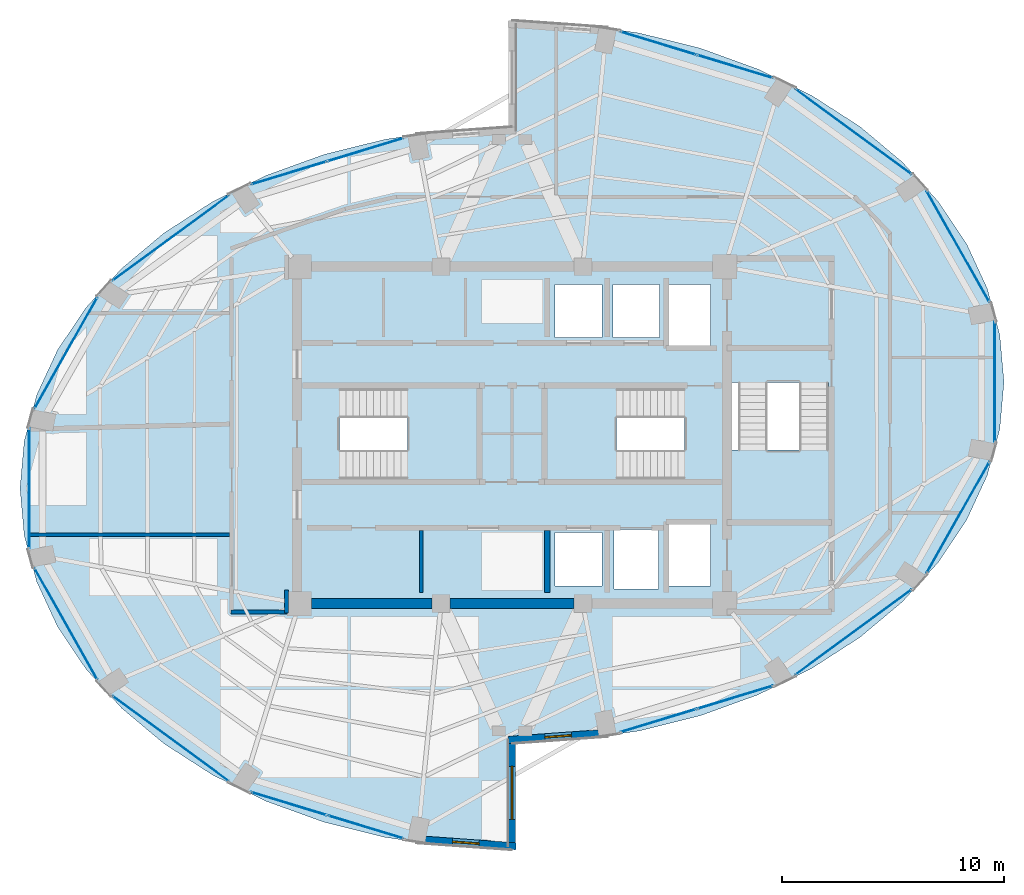
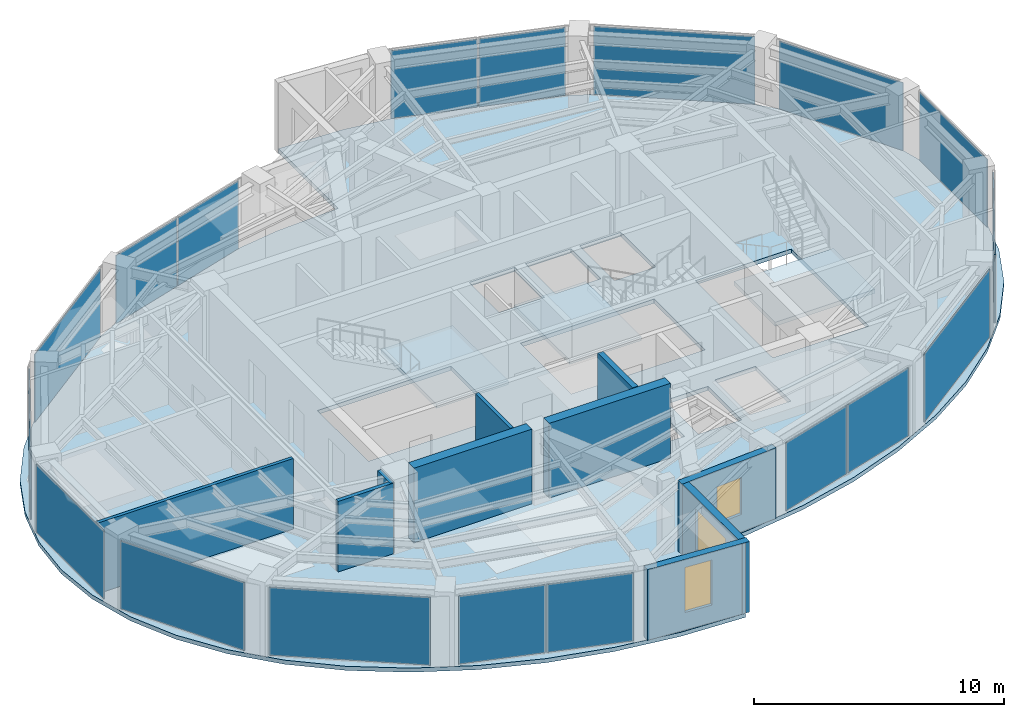
# One storey, part 18 of 23: 18 plates, 10 walls, 4 slabs, 3 windows, 3 openings, 17 elements without a shape of their own.
"""IFC4 building model written with IfcOpenShell, lengths in metres."""

from ifc_helpers import new_model, si_unit, direction, frame, frame_2d, origin, origin_2d, place, context, subcontext, project, spatial, polyline, rectangle, outline, extrude, material, layer, layer_set, type_object, element, fill, aggregate, save


model = new_model("IFC4")

# Units and contexts
model_context = context("Model", 3, precision=1e-05, world=origin(), true_north=direction((0.0, 1.0)))
body_context = subcontext(model_context, "Body", "Model", "MODEL_VIEW")
ifc_project = project(units=[si_unit("LENGTHUNIT", "METRE"), si_unit("AREAUNIT", "SQUARE_METRE"), si_unit("VOLUMEUNIT", "CUBIC_METRE"), si_unit("PLANEANGLEUNIT", "RADIAN"), si_unit("MASSUNIT", "GRAM", prefix="KILO")], contexts=[model_context])

# Site, building, storey
site_placement = place(None, origin())
site = spatial("IfcSite", under=ifc_project, at=site_placement, CompositionType="ELEMENT")
building_placement = place(site_placement, origin())
building = spatial("IfcBuilding", under=site, at=building_placement, Name="Lazwardi Medical Tower", CompositionType="ELEMENT")
storey_placement = place(building_placement, frame((0.0, 0.0, 231.31201171875)))
storey = spatial("IfcBuildingStorey", under=building, at=storey_placement, Name="L60", CompositionType="ELEMENT", Elevation=231.31201171875)

# Curtain wall, plates
ifc_material_1 = material(Name="Anodised bronze aluminium and solar control glazing", Category="aluminium")
ifc_layer_1 = layer(ifc_material_1, 0.18994140625)
ifc_layer_set_1 = layer_set([ifc_layer_1], Name="Anodised bronze aluminium and solar control glazing")
curtain_wall_type = type_object("IfcCurtainWallType", Name="CW-SYS-04", PredefinedType="NOTDEFINED", material=ifc_layer_set_1)
curtain_wall_1_placement = place(storey_placement, origin())
curtain_wall_1 = element("IfcCurtainWall", 1, at=curtain_wall_1_placement, inside=storey, type_object=curtain_wall_type, Name="L60 Unitised bronze curtain wall CW-04", PredefinedType="NOTDEFINED")
ifc_material_2 = material(Name="Low-e bronze solar control double glazing", Category="glass")
ifc_layer_2 = layer(ifc_material_2, 0.035888671875)
ifc_layer_set_2 = layer_set([ifc_layer_2], Name="Low-e bronze solar control double glazing")
plate_type = type_object("IfcPlateType", Name="PLT-GLZ-01", PredefinedType="CURTAIN_PANEL", material=ifc_layer_set_2)
plate_1_placement = place(storey_placement, frame((42.604736328125, 15.118896484375, 0.06494140625), z_axis=(0.0, 0.0, 1.0), x_axis=(0.956850126972, 0.290581889515, 0.0)))
plate_1 = element("IfcPlate", 2, at=plate_1_placement, type_object=plate_type, Name="CW-04 panel 1.1", PredefinedType="CURTAIN_PANEL", context=body_context, shape_type="SweptSolid", body=[
    extrude(rectangle(XDim=3.554443359375, YDim=0.035888671875, at=origin_2d()), origin(), (0.0, 0.0, 1.0), 3.318115234375),
])
plate_2_placement = place(storey_placement, frame((46.068115234375, 16.170654296875, 0.06494140625), z_axis=(0.0, 0.0, 1.0), x_axis=(0.956850126972, 0.290581889515, 0.0)))
plate_2 = element("IfcPlate", 3, at=plate_2_placement, type_object=plate_type, Name="CW-04 panel 2.1", PredefinedType="CURTAIN_PANEL", context=body_context, shape_type="SweptSolid", body=[
    extrude(rectangle(XDim=3.554443359375, YDim=0.035888671875, at=origin_2d()), origin(), (0.0, 0.0, 1.0), 3.318115234375),
])
aggregate(curtain_wall_1, [plate_1, plate_2])

# Curtain wall, plate
curtain_wall_2_placement = place(storey_placement, origin())
curtain_wall_2 = element("IfcCurtainWall", 4, at=curtain_wall_2_placement, inside=storey, type_object=curtain_wall_type, Name="L60 Unitised bronze curtain wall CW-04", PredefinedType="NOTDEFINED")
plate_3_placement = place(storey_placement, frame((51.403564453125, 19.106689453125, 0.06494140625), z_axis=(0.0, 0.0, 1.0), x_axis=(0.806474971121, 0.591268230971, 0.0)))
plate_3 = element("IfcPlate", 5, at=plate_3_placement, type_object=plate_type, Name="CW-04 panel 1.1", PredefinedType="CURTAIN_PANEL", context=body_context, shape_type="SweptSolid", body=[
    extrude(rectangle(XDim=6.502685546875, YDim=0.035888671875, at=origin_2d()), origin(), (0.0, 0.0, 1.0), 3.318115234375),
])
aggregate(curtain_wall_2, [plate_3])

curtain_wall_3_placement = place(storey_placement, origin())
curtain_wall_3 = element("IfcCurtainWall", 6, at=curtain_wall_3_placement, inside=storey, type_object=curtain_wall_type, Name="L60 Unitised bronze curtain wall CW-04", PredefinedType="NOTDEFINED")
plate_4_placement = place(storey_placement, frame((56.125732421875, 24.2880859375, 0.06494140625), z_axis=(0.0, 0.0, 1.0), x_axis=(0.491900474661, 0.870651436011, 0.0)))
plate_4 = element("IfcPlate", 7, at=plate_4_placement, type_object=plate_type, Name="CW-04 panel 1.1", PredefinedType="CURTAIN_PANEL", context=body_context, shape_type="SweptSolid", body=[
    extrude(rectangle(XDim=5.755126953125, YDim=0.035888671875, at=origin_2d()), origin(), (0.0, 0.0, 1.0), 3.318115234375),
])
aggregate(curtain_wall_3, [plate_4])

curtain_wall_4_placement = place(storey_placement, origin())
curtain_wall_4 = element("IfcCurtainWall", 8, at=curtain_wall_4_placement, inside=storey, type_object=curtain_wall_type, Name="L60 Unitised bronze curtain wall CW-04", PredefinedType="NOTDEFINED")
plate_5_placement = place(storey_placement, frame((57.7841796875, 30.39990234375, 0.06494140625), z_axis=(0.0, 0.0, 1.0), x_axis=(0.0, 1.0, 0.0)))
plate_5 = element("IfcPlate", 9, at=plate_5_placement, type_object=plate_type, Name="CW-04 panel 1.1", PredefinedType="CURTAIN_PANEL", context=body_context, shape_type="SweptSolid", body=[
    extrude(rectangle(XDim=5.416015625, YDim=0.035888671875, at=origin_2d()), origin(), (0.0, 0.0, 1.0), 3.318115234375),
])
aggregate(curtain_wall_4, [plate_5])

curtain_wall_5_placement = place(storey_placement, origin())
curtain_wall_5 = element("IfcCurtainWall", 10, at=curtain_wall_5_placement, inside=storey, type_object=curtain_wall_type, Name="L60 Unitised bronze curtain wall CW-04", PredefinedType="NOTDEFINED")
plate_6_placement = place(storey_placement, frame((56.125732421875, 36.511962890625, 0.06494140625), z_axis=(0.0, 0.0, 1.0), x_axis=(-0.491900474661, 0.870651436011, 0.0)))
plate_6 = element("IfcPlate", 11, at=plate_6_placement, type_object=plate_type, Name="CW-04 panel 1.1", PredefinedType="CURTAIN_PANEL", context=body_context, shape_type="SweptSolid", body=[
    extrude(rectangle(XDim=5.755126953125, YDim=0.035888671875, at=origin_2d()), origin(), (0.0, 0.0, 1.0), 3.318115234375),
])
aggregate(curtain_wall_5, [plate_6])

curtain_wall_6_placement = place(storey_placement, origin())
curtain_wall_6 = element("IfcCurtainWall", 12, at=curtain_wall_6_placement, inside=storey, type_object=curtain_wall_type, Name="L60 Unitised bronze curtain wall CW-04", PredefinedType="NOTDEFINED")
plate_7_placement = place(storey_placement, frame((51.403564453125, 41.693359375, 0.06494140625), z_axis=(0.0, 0.0, 1.0), x_axis=(-0.806474971121, 0.591268230971, 0.0)))
plate_7 = element("IfcPlate", 13, at=plate_7_placement, type_object=plate_type, Name="CW-04 panel 1.1", PredefinedType="CURTAIN_PANEL", context=body_context, shape_type="SweptSolid", body=[
    extrude(rectangle(XDim=6.502685546875, YDim=0.035888671875, at=origin_2d()), origin(), (0.0, 0.0, 1.0), 3.318115234375),
])
aggregate(curtain_wall_6, [plate_7])

# Curtain wall, plates
curtain_wall_7_placement = place(storey_placement, origin())
curtain_wall_7 = element("IfcCurtainWall", 14, at=curtain_wall_7_placement, inside=storey, type_object=curtain_wall_type, Name="L60 Unitised bronze curtain wall CW-04", PredefinedType="NOTDEFINED")
plate_8_placement = place(storey_placement, frame((46.068115234375, 44.62939453125, 0.06494140625), z_axis=(0.0, 0.0, 1.0), x_axis=(-0.956850126972, 0.290581889515, 0.0)))
plate_8 = element("IfcPlate", 15, at=plate_8_placement, type_object=plate_type, Name="CW-04 panel 1.1", PredefinedType="CURTAIN_PANEL", context=body_context, shape_type="SweptSolid", body=[
    extrude(rectangle(XDim=3.554443359375, YDim=0.035888671875, at=origin_2d()), origin(), (0.0, 0.0, 1.0), 3.318115234375),
])
plate_9_placement = place(storey_placement, frame((42.604736328125, 45.68115234375, 0.06494140625), z_axis=(0.0, 0.0, 1.0), x_axis=(-0.956850126972, 0.290581889515, 0.0)))
plate_9 = element("IfcPlate", 16, at=plate_9_placement, type_object=plate_type, Name="CW-04 panel 2.1", PredefinedType="CURTAIN_PANEL", context=body_context, shape_type="SweptSolid", body=[
    extrude(rectangle(XDim=3.554443359375, YDim=0.035888671875, at=origin_2d()), origin(), (0.0, 0.0, 1.0), 3.318115234375),
])
aggregate(curtain_wall_7, [plate_8, plate_9])

curtain_wall_8_placement = place(storey_placement, origin())
curtain_wall_8 = element("IfcCurtainWall", 17, at=curtain_wall_8_placement, inside=storey, type_object=curtain_wall_type, Name="L60 Unitised bronze curtain wall CW-04", PredefinedType="NOTDEFINED")
plate_10_placement = place(storey_placement, frame((29.395263671875, 40.881103515625, 0.06494140625), z_axis=(0.0, 0.0, 1.0), x_axis=(-0.956850126972, -0.290581889515, 0.0)))
plate_10 = element("IfcPlate", 18, at=plate_10_placement, type_object=plate_type, Name="CW-04 panel 1.1", PredefinedType="CURTAIN_PANEL", context=body_context, shape_type="SweptSolid", body=[
    extrude(rectangle(XDim=3.554443359375, YDim=0.035888671875, at=origin_2d()), origin(), (0.0, 0.0, 1.0), 3.318115234375),
])
plate_11_placement = place(storey_placement, frame((25.931884765625, 39.829345703125, 0.06494140625), z_axis=(0.0, 0.0, 1.0), x_axis=(-0.956850126972, -0.290581889515, 0.0)))
plate_11 = element("IfcPlate", 19, at=plate_11_placement, type_object=plate_type, Name="CW-04 panel 2.1", PredefinedType="CURTAIN_PANEL", context=body_context, shape_type="SweptSolid", body=[
    extrude(rectangle(XDim=3.554443359375, YDim=0.035888671875, at=origin_2d()), origin(), (0.0, 0.0, 1.0), 3.318115234375),
])
aggregate(curtain_wall_8, [plate_10, plate_11])

# Curtain wall, plate
curtain_wall_9_placement = place(storey_placement, origin())
curtain_wall_9 = element("IfcCurtainWall", 20, at=curtain_wall_9_placement, inside=storey, type_object=curtain_wall_type, Name="L60 Unitised bronze curtain wall CW-04", PredefinedType="NOTDEFINED")
plate_12_placement = place(storey_placement, frame((20.596435546875, 36.893310546875, 0.06494140625), z_axis=(0.0, 0.0, 1.0), x_axis=(-0.806474971121, -0.591268230971, 0.0)))
plate_12 = element("IfcPlate", 21, at=plate_12_placement, type_object=plate_type, Name="CW-04 panel 1.1", PredefinedType="CURTAIN_PANEL", context=body_context, shape_type="SweptSolid", body=[
    extrude(rectangle(XDim=6.502685546875, YDim=0.035888671875, at=origin_2d()), origin(), (0.0, 0.0, 1.0), 3.318115234375),
])
aggregate(curtain_wall_9, [plate_12])

curtain_wall_10_placement = place(storey_placement, origin())
curtain_wall_10 = element("IfcCurtainWall", 22, at=curtain_wall_10_placement, inside=storey, type_object=curtain_wall_type, Name="L60 Unitised bronze curtain wall CW-04", PredefinedType="NOTDEFINED")
plate_13_placement = place(storey_placement, frame((15.874267578125, 31.7119140625, 0.06494140625), z_axis=(0.0, 0.0, 1.0), x_axis=(-0.491900474661, -0.870651436011, 0.0)))
plate_13 = element("IfcPlate", 23, at=plate_13_placement, type_object=plate_type, Name="CW-04 panel 1.1", PredefinedType="CURTAIN_PANEL", context=body_context, shape_type="SweptSolid", body=[
    extrude(rectangle(XDim=5.755126953125, YDim=0.035888671875, at=origin_2d()), origin(), (0.0, 0.0, 1.0), 3.318115234375),
])
aggregate(curtain_wall_10, [plate_13])

curtain_wall_11_placement = place(storey_placement, origin())
curtain_wall_11 = element("IfcCurtainWall", 24, at=curtain_wall_11_placement, inside=storey, type_object=curtain_wall_type, Name="L60 Unitised bronze curtain wall CW-04", PredefinedType="NOTDEFINED")
plate_14_placement = place(storey_placement, frame((14.2158203125, 25.60009765625, 0.06494140625), z_axis=(0.0, 0.0, 1.0), x_axis=(0.0, -1.0, 0.0)))
plate_14 = element("IfcPlate", 25, at=plate_14_placement, type_object=plate_type, Name="CW-04 panel 1.1", PredefinedType="CURTAIN_PANEL", context=body_context, shape_type="SweptSolid", body=[
    extrude(rectangle(XDim=5.416015625, YDim=0.035888671875, at=origin_2d()), origin(), (0.0, 0.0, 1.0), 3.318115234375),
])
aggregate(curtain_wall_11, [plate_14])

curtain_wall_12_placement = place(storey_placement, origin())
curtain_wall_12 = element("IfcCurtainWall", 26, at=curtain_wall_12_placement, inside=storey, type_object=curtain_wall_type, Name="L60 Unitised bronze curtain wall CW-04", PredefinedType="NOTDEFINED")
plate_15_placement = place(storey_placement, frame((15.874267578125, 19.488037109375, 0.06494140625), z_axis=(0.0, 0.0, 1.0), x_axis=(0.491900474661, -0.870651436011, 0.0)))
plate_15 = element("IfcPlate", 27, at=plate_15_placement, type_object=plate_type, Name="CW-04 panel 1.1", PredefinedType="CURTAIN_PANEL", context=body_context, shape_type="SweptSolid", body=[
    extrude(rectangle(XDim=5.755126953125, YDim=0.035888671875, at=origin_2d()), origin(), (0.0, 0.0, 1.0), 3.318115234375),
])
aggregate(curtain_wall_12, [plate_15])

curtain_wall_13_placement = place(storey_placement, origin())
curtain_wall_13 = element("IfcCurtainWall", 28, at=curtain_wall_13_placement, inside=storey, type_object=curtain_wall_type, Name="L60 Unitised bronze curtain wall CW-04", PredefinedType="NOTDEFINED")
plate_16_placement = place(storey_placement, frame((20.596435546875, 14.306640625, 0.06494140625), z_axis=(0.0, 0.0, 1.0), x_axis=(0.806474971121, -0.591268230971, 0.0)))
plate_16 = element("IfcPlate", 29, at=plate_16_placement, type_object=plate_type, Name="CW-04 panel 1.1", PredefinedType="CURTAIN_PANEL", context=body_context, shape_type="SweptSolid", body=[
    extrude(rectangle(XDim=6.502685546875, YDim=0.035888671875, at=origin_2d()), origin(), (0.0, 0.0, 1.0), 3.318115234375),
])
aggregate(curtain_wall_13, [plate_16])

# Curtain wall, plates
curtain_wall_14_placement = place(storey_placement, origin())
curtain_wall_14 = element("IfcCurtainWall", 30, at=curtain_wall_14_placement, inside=storey, type_object=curtain_wall_type, Name="L60 Unitised bronze curtain wall CW-04", PredefinedType="NOTDEFINED")
plate_17_placement = place(storey_placement, frame((25.931884765625, 11.37060546875, 0.06494140625), z_axis=(0.0, 0.0, 1.0), x_axis=(0.956850126972, -0.290581889515, 0.0)))
plate_17 = element("IfcPlate", 31, at=plate_17_placement, type_object=plate_type, Name="CW-04 panel 1.1", PredefinedType="CURTAIN_PANEL", context=body_context, shape_type="SweptSolid", body=[
    extrude(rectangle(XDim=3.554443359375, YDim=0.035888671875, at=origin_2d()), origin(), (0.0, 0.0, 1.0), 3.318115234375),
])
plate_18_placement = place(storey_placement, frame((29.395263671875, 10.31884765625, 0.06494140625), z_axis=(0.0, 0.0, 1.0), x_axis=(0.956850126972, -0.290581889515, 0.0)))
plate_18 = element("IfcPlate", 32, at=plate_18_placement, type_object=plate_type, Name="CW-04 panel 2.1", PredefinedType="CURTAIN_PANEL", context=body_context, shape_type="SweptSolid", body=[
    extrude(rectangle(XDim=3.554443359375, YDim=0.035888671875, at=origin_2d()), origin(), (0.0, 0.0, 1.0), 3.318115234375),
])
aggregate(curtain_wall_14, [plate_17, plate_18])

# Stair, slab
ifc_material_3 = material(Name="Concrete C45/55", Category="concrete")
stair_type = type_object("IfcStairType", Name="STR-WRD", PredefinedType="HALF_TURN_STAIR", material=ifc_material_3)
stair_1_placement = place(storey_placement, origin())
stair_1 = element("IfcStair", 33, at=stair_1_placement, inside=storey, type_object=stair_type, Name="L60 Protected Exit Stair ST1", PredefinedType="HALF_TURN_STAIR")
ifc_layer_3 = layer(ifc_material_3, 0.199951171875)
ifc_layer_set_3 = layer_set([ifc_layer_3], Name="Concrete C45/55")
slab_type_1 = type_object("IfcSlabType", Name="SLB-LND-190", PredefinedType="LANDING", material=ifc_layer_set_3)
slab_1_placement = place(storey_placement, frame((0.0, 0.0, 1.6240234375)))
slab_1 = element("IfcSlab", 34, at=slab_1_placement, type_object=slab_type_1, Name="ST1 landing 1", PredefinedType="LANDING", context=body_context, shape_type="SweptSolid", body=[
    extrude(outline(polyline([(31.27490234375, 25.840087890625), (34.580078125, 25.840087890625), (34.580078125, 30.280029296875), (31.27490234375, 30.280029296875), (31.27490234375, 25.840087890625)])), origin(), (0.0, 0.0, 1.0), 0.199951171875),
])
aggregate(stair_1, [slab_1])

stair_2_placement = place(storey_placement, origin())
stair_2 = element("IfcStair", 35, at=stair_2_placement, inside=storey, type_object=stair_type, Name="L60 Protected Exit Stair ST2", PredefinedType="HALF_TURN_STAIR")
slab_2_placement = place(storey_placement, frame((0.0, 0.0, 1.6240234375)))
slab_2 = element("IfcSlab", 36, at=slab_2_placement, type_object=slab_type_1, Name="ST2 landing 1", PredefinedType="LANDING", context=body_context, shape_type="SweptSolid", body=[
    extrude(outline(polyline([(40.72509765625, 30.280029296875), (37.419921875, 30.280029296875), (37.419921875, 25.840087890625), (40.72509765625, 25.840087890625), (40.72509765625, 30.280029296875)])), origin(), (0.0, 0.0, 1.0), 0.199951171875),
])
aggregate(stair_2, [slab_2])

stair_3_placement = place(storey_placement, origin())
stair_3 = element("IfcStair", 37, at=stair_3_placement, inside=storey, type_object=stair_type, Name="L60 Protected Exit Stair ST3", PredefinedType="HALF_TURN_STAIR")
slab_3_placement = place(storey_placement, frame((0.0, 0.0, 1.6240234375)))
slab_3 = element("IfcSlab", 38, at=slab_3_placement, type_object=slab_type_1, Name="ST3 landing 1", PredefinedType="LANDING", context=body_context, shape_type="SweptSolid", body=[
    extrude(outline(polyline([(45.860107421875, 27.324951171875), (45.860107421875, 24.02001953125), (50.4599609375, 24.02001953125), (50.4599609375, 27.324951171875), (45.860107421875, 27.324951171875)])), origin(), (0.0, 0.0, 1.0), 0.199951171875),
])
aggregate(stair_3, [slab_3])

# Slab
ifc_material_4 = material(Name="Concrete C50/60", Category="concrete")
ifc_layer_4 = layer(ifc_material_4, 0.199951171875)
ifc_layer_set_4 = layer_set([ifc_layer_4], Name="Concrete C50/60")
slab_type_2 = type_object("IfcSlabType", Name="SLB-UPP-200", PredefinedType="FLOOR", material=ifc_layer_set_4)
slab_4_placement = place(storey_placement, frame((0.0, 0.0, -0.199951171875)))
element("IfcSlab", 39, at=slab_4_placement, inside=storey, type_object=slab_type_2, Name="Structural floor slab SF-04 L60", PredefinedType="FLOOR", context=body_context, shape_type="SweptSolid", body=[
    extrude(outline(polyline([(18.3876953125, 15.67724609375), (20.30224609375, 14.07421875), (22.485595703125, 12.668212890625), (24.89990234375, 11.48388671875), (27.50439453125, 10.540771484375), (30.254150390625, 9.85546875), (33.102294921875, 9.439453125), (36.0, 9.300048828125), (36.0, 14.10009765625), (38.897705078125, 14.239501953125), (41.745849609375, 14.655517578125), (44.49560546875, 15.3408203125), (47.10009765625, 16.28369140625), (49.514404296875, 17.46826171875), (51.69775390625, 18.874267578125), (53.6123046875, 20.477294921875), (55.225830078125, 22.25), (56.510009765625, 24.162353515625), (57.443603515625, 26.18115234375), (58.010009765625, 28.2724609375), (58.199951171875, 30.39990234375), (58.010009765625, 32.527587890625), (57.443603515625, 34.618896484375), (56.510009765625, 36.6376953125), (55.225830078125, 38.550048828125), (53.6123046875, 40.32275390625), (51.69775390625, 41.92578125), (49.514404296875, 43.331787109375), (47.10009765625, 44.51611328125), (44.49560546875, 45.459228515625), (41.745849609375, 46.14453125), (38.897705078125, 46.560546875), (36.0, 46.699951171875), (36.0, 41.89990234375), (33.102294921875, 41.760498046875), (30.254150390625, 41.344482421875), (27.50439453125, 40.6591796875), (24.89990234375, 39.71630859375), (22.485595703125, 38.53173828125), (20.30224609375, 37.125732421875), (18.3876953125, 35.522705078125), (16.774169921875, 33.75), (15.489990234375, 31.837646484375), (14.556396484375, 29.81884765625), (13.989990234375, 27.7275390625), (13.800048828125, 25.60009765625), (13.989990234375, 23.472412109375), (14.556396484375, 21.381103515625), (15.489990234375, 19.3623046875), (16.774169921875, 17.449951171875), (18.3876953125, 15.67724609375)]), holes=[polyline([(28.22509765625, 26.02001953125), (28.22509765625, 30.10009765625), (34.39990234375, 30.10009765625), (34.39990234375, 26.02001953125), (28.22509765625, 26.02001953125)]), polyline([(37.60009765625, 30.10009765625), (43.77490234375, 30.10009765625), (43.77490234375, 26.02001953125), (37.60009765625, 26.02001953125), (37.60009765625, 30.10009765625)]), polyline([(50.280029296875, 30.375), (50.280029296875, 24.179931640625), (45.840087890625, 24.179931640625), (45.840087890625, 30.375), (50.280029296875, 30.375)]), polyline([(40.050048828125, 32.39990234375), (37.949951171875, 32.39990234375), (37.949951171875, 34.800048828125), (40.050048828125, 34.800048828125), (40.050048828125, 32.39990234375)]), polyline([(40.550048828125, 32.39990234375), (40.550048828125, 34.800048828125), (42.64990234375, 34.800048828125), (42.64990234375, 32.39990234375), (40.550048828125, 32.39990234375)]), polyline([(37.949951171875, 23.60009765625), (40.050048828125, 23.60009765625), (40.050048828125, 21.199951171875), (37.949951171875, 21.199951171875), (37.949951171875, 23.60009765625)]), polyline([(44.949951171875, 34.800048828125), (44.949951171875, 32.0), (43.050048828125, 32.0), (43.050048828125, 34.800048828125), (44.949951171875, 34.800048828125)]), polyline([(44.949951171875, 21.199951171875), (43.050048828125, 21.199951171875), (43.050048828125, 24.0), (44.949951171875, 24.0), (44.949951171875, 21.199951171875)]), polyline([(40.60009765625, 21.050048828125), (40.60009765625, 23.75), (42.60009765625, 23.75), (42.60009765625, 21.050048828125), (40.60009765625, 21.050048828125)])]), origin(), (0.0, 0.0, 1.0), 0.199951171875),
])

# Walls
ifc_material_5 = material(Name="Fire-rated gypsum board on steel stud", Category="steel")
ifc_layer_5 = layer(ifc_material_5, 0.179931640625)
ifc_layer_set_5 = layer_set([ifc_layer_5], Name="Fire-rated gypsum board on steel stud")
wall_type_1 = type_object("IfcWallType", Name="WL-COR-180", PredefinedType="PARTITIONING", material=ifc_layer_set_5)
wall_1_placement = place(storey_placement, frame((25.830078125, 21.010009765625, 0.0), z_axis=(0.0, 0.0, 1.0), x_axis=(0.0, -1.0, 0.0)))
element("IfcWall", 40, at=wall_1_placement, inside=storey, type_object=wall_type_1, Name="L60 Corridor partition 8", PredefinedType="PARTITIONING", context=body_context, shape_type="SweptSolid", body=[
    extrude(rectangle(XDim=1.030029296875, YDim=0.179931640625, at=frame_2d((0.51513671875, 0.0))), origin(), (0.0, 0.0, 1.0), 3.447998046875),
])
wall_2_placement = place(storey_placement, frame((25.8701171875, 20.02001953125, 0.0), z_axis=(0.0, 0.0, 1.0), x_axis=(-1.0, 0.0, 0.0)))
element("IfcWall", 41, at=wall_2_placement, inside=storey, type_object=wall_type_1, Name="L60 Corridor partition 9", PredefinedType="PARTITIONING", context=body_context, shape_type="SweptSolid", body=[
    extrude(rectangle(XDim=2.56005859375, YDim=0.179931640625, at=frame_2d((1.280029296875, 0.0))), origin(), (0.0, 0.0, 1.0), 3.447998046875),
])
ifc_material_6 = material(Name="Concrete C60/75", Category="concrete")
ifc_layer_6 = layer(ifc_material_6, 0.449951171875)
ifc_layer_set_6 = layer_set([ifc_layer_6], Name="Concrete C60/75")
wall_type_2 = type_object("IfcWallType", Name="WL-CORE-450", PredefinedType="SHEAR", material=ifc_layer_set_6)
wall_3_placement = place(storey_placement, frame((26.949951171875, 20.39990234375, 0.0), z_axis=(0.0, 0.0, 1.0), x_axis=(1.0, 0.0, 0.0)))
element("IfcWall", 42, at=wall_3_placement, inside=storey, type_object=wall_type_2, Name="Core wall CW-S4 S1 L60", PredefinedType="SHEAR", context=body_context, shape_type="SweptSolid", body=[
    extrude(rectangle(XDim=5.449951171875, YDim=0.449951171875, at=frame_2d((2.72509765625, 0.0))), origin(), (0.0, 0.0, 1.0), 3.64794921875),
])
wall_4_placement = place(storey_placement, frame((33.199951171875, 20.39990234375, 0.0), z_axis=(0.0, 0.0, 1.0), x_axis=(1.0, 0.0, 0.0)))
element("IfcWall", 43, at=wall_4_placement, inside=storey, type_object=wall_type_2, Name="Core wall CW-S4 S2 L60", PredefinedType="SHEAR", context=body_context, shape_type="SweptSolid", body=[
    extrude(rectangle(XDim=5.60009765625, YDim=0.449951171875, at=frame_2d((2.800048828125, 0.0))), origin(), (0.0, 0.0, 1.0), 3.64794921875),
])

# Wall, opening, window
ifc_material_7 = material(Name="Precast concrete C45/55", Category="concrete")
ifc_layer_7 = layer(ifc_material_7, 0.320068359375)
ifc_layer_set_7 = layer_set([ifc_layer_7], Name="Precast concrete C45/55")
wall_type_3 = type_object("IfcWallType", Name="WL-IWAN-320", PredefinedType="SOLIDWALL", material=ifc_layer_set_7)
wall_5_placement = place(storey_placement, frame((35.820556640625, 14.2470703125, 0.0), z_axis=(0.0, 0.0, 1.0), x_axis=(0.997409061056, 0.071938619141, 0.0)))
wall_5 = element("IfcWall", 44, at=wall_5_placement, inside=storey, type_object=wall_type_3, Name="L60 Iwan Portal Return Wall SE_ret", PredefinedType="SOLIDWALL", context=body_context, shape_type="SweptSolid", body=[
    extrude(rectangle(XDim=4.540771484375, YDim=0.320068359375, at=frame_2d((2.2705078125, 0.0))), origin(), (0.0, 0.0, 1.0), 3.447998046875),
])
opening_1_placement = place(wall_5_placement, frame((1.67041015625, 0.0, 0.85009765625)))
opening_1 = element("IfcOpeningElement", 45, at=opening_1_placement, cuts=wall_5, Name="Opening WN-04", PredefinedType="OPENING", context=body_context, shape_type="SweptSolid", body=[
    extrude(rectangle(XDim=1.199951171875, YDim=1.800048828125, at=frame_2d((0.60009765625, 0.89990234375))), frame((0.0, 0.169921875, 0.0), z_axis=(0.0, -1.0, 0.0), x_axis=(1.0, 0.0, 0.0)), (0.0, 0.0, 1.0), 0.340087890625),
])
window_type_1 = type_object("IfcWindowType", Name="WIN-DRUM-1200", PartitioningType="SINGLE_PANEL", PredefinedType="WINDOW", material=ifc_material_2)
window_1_placement = place(opening_1_placement, origin())
window_1 = element("IfcWindow", 46, at=window_1_placement, inside=storey, type_object=window_type_1, Name="L60 Iwan Slot Window SE_ret", OverallHeight=1.800048828125, OverallWidth=1.199951171875, PartitioningType="SINGLE_PANEL", PredefinedType="WINDOW", context=body_context, shape_type="SweptSolid", body=[
    extrude(rectangle(XDim=1.199951171875, YDim=1.800048828125, at=frame_2d((0.60009765625, 0.89990234375))), frame((0.0, 0.030029296875, 0.0), z_axis=(0.0, -1.0, 0.0), x_axis=(1.0, 0.0, 0.0)), (0.0, 0.0, 1.0), 0.06005859375),
])
fill(opening_1, window_1)

wall_6_placement = place(storey_placement, frame((31.650390625, 9.773681640625, 0.0), z_axis=(0.0, 0.0, 1.0), x_axis=(0.997408782787, -0.071942477163, 0.0)))
wall_6 = element("IfcWall", 47, at=wall_6_placement, inside=storey, type_object=wall_type_3, Name="L60 Iwan Portal Return Wall SW_ret", PredefinedType="SOLIDWALL", context=body_context, shape_type="SweptSolid", body=[
    extrude(rectangle(XDim=4.54052734375, YDim=0.320068359375, at=frame_2d((2.270263671875, 0.0))), origin(), (0.0, 0.0, 1.0), 3.447998046875),
])
opening_2_placement = place(wall_6_placement, frame((1.67041015625, 0.0, 0.85009765625)))
opening_2 = element("IfcOpeningElement", 48, at=opening_2_placement, cuts=wall_6, Name="Opening WN-01", PredefinedType="OPENING", context=body_context, shape_type="SweptSolid", body=[
    extrude(rectangle(XDim=1.199951171875, YDim=2.199951171875, at=frame_2d((0.60009765625, 1.10009765625))), frame((0.0, 0.169921875, 0.0), z_axis=(0.0, -1.0, 0.0), x_axis=(1.0, 0.0, 0.0)), (0.0, 0.0, 1.0), 0.340087890625),
])
window_type_2 = type_object("IfcWindowType", Name="WIN-IW-1200", PartitioningType="SINGLE_PANEL", PredefinedType="WINDOW", material=ifc_material_2)
window_2_placement = place(opening_2_placement, origin())
window_2 = element("IfcWindow", 49, at=window_2_placement, inside=storey, type_object=window_type_2, Name="L60 Iwan Slot Window SW_ret", OverallHeight=2.199951171875, OverallWidth=1.199951171875, PartitioningType="SINGLE_PANEL", PredefinedType="WINDOW", context=body_context, shape_type="SweptSolid", body=[
    extrude(rectangle(XDim=1.199951171875, YDim=2.199951171875, at=frame_2d((0.60009765625, 1.10009765625))), frame((0.0, 0.030029296875, 0.0), z_axis=(0.0, -1.0, 0.0), x_axis=(1.0, 0.0, 0.0)), (0.0, 0.0, 1.0), 0.06005859375),
])
fill(opening_2, window_2)

wall_7_placement = place(storey_placement, frame((36.0, 9.300048828125, 0.0), z_axis=(0.0, 0.0, 1.0), x_axis=(0.0, 1.0, 0.0)))
wall_7 = element("IfcWall", 50, at=wall_7_placement, inside=storey, type_object=wall_type_3, Name="L60 Turquoise Tilework Iwan Seam Wall S_seam", PredefinedType="SOLIDWALL", context=body_context, shape_type="SweptSolid", body=[
    extrude(rectangle(XDim=5.119873046875, YDim=0.320068359375, at=frame_2d((2.56005859375, 0.0))), origin(), (0.0, 0.0, 1.0), 3.447998046875),
])
opening_3_placement = place(wall_7_placement, frame((1.360107421875, 0.0, 0.840087890625)))
opening_3 = element("IfcOpeningElement", 51, at=opening_3_placement, cuts=wall_7, Name="Opening WN-02", PredefinedType="OPENING", context=body_context, shape_type="SweptSolid", body=[
    extrude(rectangle(XDim=2.39990234375, YDim=2.0400390625, at=frame_2d((1.199951171875, 1.02001953125))), frame((0.0, 0.169921875, 0.0), z_axis=(0.0, -1.0, 0.0), x_axis=(1.0, 0.0, 0.0)), (0.0, 0.0, 1.0), 0.340087890625),
])
window_type_3 = type_object("IfcWindowType", Name="WIN-IW-2400", PartitioningType="SINGLE_PANEL", PredefinedType="WINDOW", material=ifc_material_2)
window_3_placement = place(opening_3_placement, origin())
window_3 = element("IfcWindow", 52, at=window_3_placement, inside=storey, type_object=window_type_3, Name="L60 Iwan Seam Window S_seam", OverallHeight=2.0400390625, OverallWidth=2.39990234375, PartitioningType="SINGLE_PANEL", PredefinedType="WINDOW", context=body_context, shape_type="SweptSolid", body=[
    extrude(rectangle(XDim=2.39990234375, YDim=2.0400390625, at=frame_2d((1.199951171875, 1.02001953125))), frame((0.0, 0.030029296875, 0.0), z_axis=(0.0, -1.0, 0.0), x_axis=(1.0, 0.0, 0.0)), (0.0, 0.0, 1.0), 0.06005859375),
])
fill(opening_3, window_3)

# Walls
ifc_material_8 = material(Name="Autoclaved aerated concrete blockwork", Category="masonry")
ifc_layer_8 = layer(ifc_material_8, 0.25)
ifc_layer_set_8 = layer_set([ifc_layer_8], Name="Autoclaved aerated concrete blockwork")
wall_type_4 = type_object("IfcWallType", Name="WL-SHAFT-250", PredefinedType="SOLIDWALL", material=ifc_layer_set_8)
wall_8_placement = place(storey_placement, frame((37.60009765625, 20.89990234375, 0.0), z_axis=(0.0, 0.0, 1.0), x_axis=(0.0, 1.0, 0.0)))
element("IfcWall", 53, at=wall_8_placement, inside=storey, type_object=wall_type_4, Name="L60 South hoistway divider", PredefinedType="SOLIDWALL", context=body_context, shape_type="SweptSolid", body=[
    extrude(rectangle(XDim=2.800048828125, YDim=0.25, at=frame_2d((1.39990234375, 0.0))), origin(), (0.0, 0.0, 1.0), 3.447998046875),
])
ifc_material_9 = material(Name="Acoustic gypsum board partition")
ifc_layer_9 = layer(ifc_material_9, 0.14990234375)
ifc_layer_set_9 = layer_set([ifc_layer_9], Name="Acoustic gypsum board partition")
wall_type_5 = type_object("IfcWallType", Name="WL-WRD-150", PredefinedType="PARTITIONING", material=ifc_layer_set_9)
wall_9_placement = place(storey_placement, frame((31.89990234375, 20.89990234375, 0.0), z_axis=(0.0, 0.0, 1.0), x_axis=(0.0, 1.0, 0.0)))
element("IfcWall", 54, at=wall_9_placement, inside=storey, type_object=wall_type_5, Name="L60 Freed bay2 S split", PredefinedType="PARTITIONING", context=body_context, shape_type="SweptSolid", body=[
    extrude(rectangle(XDim=2.800048828125, YDim=0.14990234375, at=frame_2d((1.39990234375, 0.0))), origin(), (0.0, 0.0, 1.0), 3.447998046875),
])
wall_10_placement = place(storey_placement, frame((14.228271484375, 23.5, 0.0), z_axis=(0.0, 0.0, 1.0), x_axis=(1.0, 0.0, 0.0)))
element("IfcWall", 55, at=wall_10_placement, inside=storey, type_object=wall_type_5, Name="L60 Room partition 1", PredefinedType="PARTITIONING", context=body_context, shape_type="SweptSolid", body=[
    extrude(rectangle(XDim=9.03173828125, YDim=0.14990234375, at=frame_2d((4.515869140625, 0.0))), origin(), (0.0, 0.0, 1.0), 3.447998046875),
])

save(model, "model.ifc")
